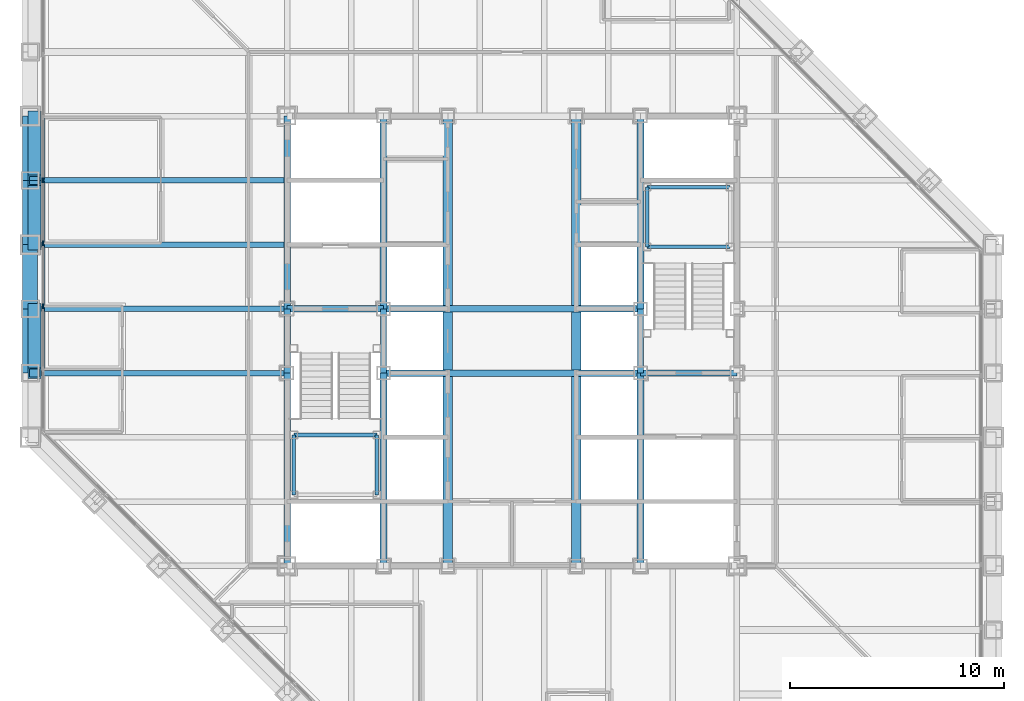
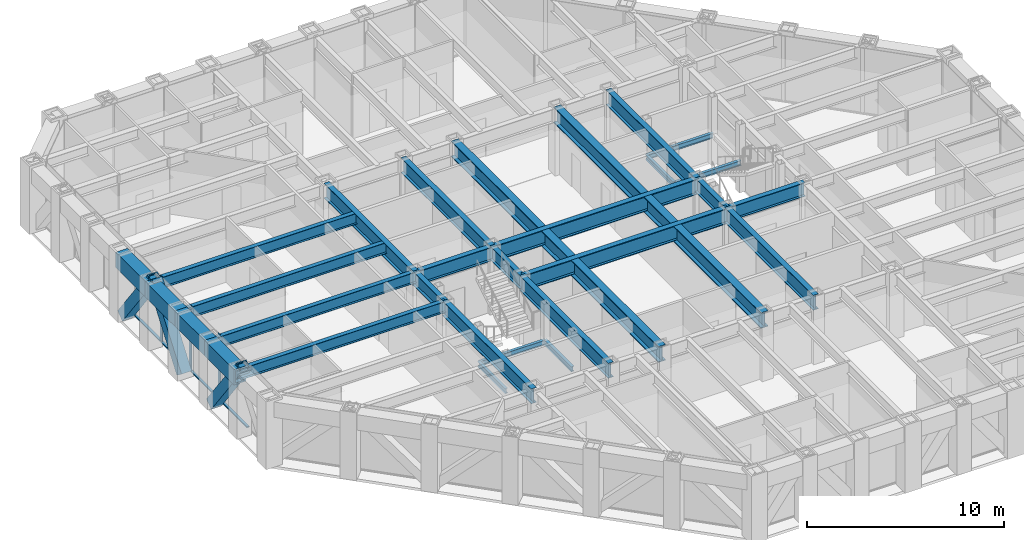
# One storey, part 5 of 17: 33 beams, 10 members, 1 element without a shape of its own.
"""IFC4 building model written with IfcOpenShell, lengths in metres."""

from ifc_helpers import new_model, si_unit, direction, frame, origin, origin_2d, place, context, subcontext, project, spatial, rectangle, hollow_rectangle, i_section, extrude, material, layer, layer_set, material_profile, profile_set, type_object, element, aggregate, save


model = new_model("IFC4")

# Units and contexts
model_context = context("Model", 3, precision=1e-05, world=origin(), true_north=direction((0.0, 1.0)))
body_context = subcontext(model_context, "Body", "Model", "MODEL_VIEW")
ifc_project = project(units=[si_unit("LENGTHUNIT", "METRE"), si_unit("AREAUNIT", "SQUARE_METRE"), si_unit("VOLUMEUNIT", "CUBIC_METRE"), si_unit("PLANEANGLEUNIT", "RADIAN"), si_unit("MASSUNIT", "GRAM", prefix="KILO")], contexts=[model_context])

# Site, building, storey
site_placement = place(None, origin())
site = spatial("IfcSite", under=ifc_project, at=site_placement, CompositionType="ELEMENT")
building_placement = place(site_placement, origin())
building = spatial("IfcBuilding", under=site, at=building_placement, Name="Chuquiago Exchange Tower", CompositionType="ELEMENT")
storey_placement = place(building_placement, frame((0.0, 0.0, 165.60009765625)))
storey = spatial("IfcBuildingStorey", under=building, at=storey_placement, Name="L36", CompositionType="ELEMENT", Elevation=165.60009765625)

# Beams
ifc_material_1 = material(Name="Steel ASTM A992", Category="steel")
ifc_material_profile_1 = material_profile(ifc_material_1, i_section(OverallWidth=0.25390625, OverallDepth=0.683349609375, WebThickness=0.012451171875, FlangeThickness=0.018798828125, at=origin_2d()), Name="W27X94")
ifc_profile_set_1 = profile_set([ifc_material_profile_1], Name="Steel ASTM A992")
beam_type_1 = type_object("IfcBeamType", Name="B1 W27X94", PredefinedType="BEAM", material=ifc_profile_set_1)
for number, where, z_axis, x_axis, name in (
    (1, (12.0, 21.0, 3.6982421875), (-1.0, 0.0, 0.0), (0.0, -1.0, 0.0), "FB-L37-infill-12_21--0_21-0"),
    (2, (12.0, 24.0, 3.6982421875), (-1.0, 0.0, 0.0), (0.0, -1.0, 0.0), "FB-L37-infill-12_24--0_24-0"),
    (3, (12.0, 27.0, 3.6982421875), (-1.0, 0.0, 0.0), (0.0, -1.0, 0.0), "FB-L37-infill-12_27--0_27-0"),
    (4, (12.0, 30.0, 3.6982421875), (-1.0, 0.0, 0.0), (0.0, -1.0, 0.0), "FB-L37-infill-12_30--0_30-0"),
):
    element("IfcBeam", number, at=place(storey_placement, frame(where, z_axis=z_axis, x_axis=x_axis)), inside=storey, type_object=beam_type_1, Name=name, PredefinedType="BEAM", context=body_context, shape_type="SweptSolid", body=[
        extrude(i_section(OverallWidth=0.25390625, OverallDepth=0.683349609375, WebThickness=0.012451171875, FlangeThickness=0.018798828125, at=origin_2d()), origin(), (0.0, 0.0, 1.0), 12.0),
    ])
ifc_material_2 = material(Name="Steel ASTM A992", Category="steel")
ifc_material_profile_2 = material_profile(ifc_material_2, i_section(OverallWidth=0.307373046875, OverallDepth=0.927001953125, WebThickness=0.01953125, FlangeThickness=0.031982421875, at=origin_2d()), Name="W36X194")
ifc_profile_set_2 = profile_set([ifc_material_profile_2], Name="Steel ASTM A992")
beam_type_2 = type_object("IfcBeamType", Name="B10 W36X194", PredefinedType="BEAM", material=ifc_profile_set_2)
for number, where, z_axis, x_axis, name in (
    (5, (12.0, 12.0, 3.576416015625), (0.0, 1.0, 0.0), (-1.0, 0.0, 0.0), "CB-L37-12_12-12_21"),
    (6, (12.0, 24.0, 3.576416015625), (0.0, 1.0, 0.0), (-1.0, 0.0, 0.0), "CB-L37-12_24-12_33"),
    (7, (16.5, 12.0, 3.576416015625), (0.0, 1.0, 0.0), (-1.0, 0.0, 0.0), "CB-L37-16.5_12-16.5_21"),
    (8, (16.5, 24.0, 3.576416015625), (0.0, 1.0, 0.0), (-1.0, 0.0, 0.0), "CB-L37-16.5_24-16.5_33"),
    (9, (28.5, 12.0, 3.576416015625), (0.0, 1.0, 0.0), (-1.0, 0.0, 0.0), "CB-L37-28.5_12-28.5_21"),
    (10, (28.5, 24.0, 3.576416015625), (0.0, 1.0, 0.0), (-1.0, 0.0, 0.0), "CB-L37-28.5_24-28.5_33"),
):
    element("IfcBeam", number, at=place(storey_placement, frame(where, z_axis=z_axis, x_axis=x_axis)), inside=storey, type_object=beam_type_2, Name=name, PredefinedType="BEAM", context=body_context, shape_type="SweptSolid", body=[
        extrude(i_section(OverallWidth=0.307373046875, OverallDepth=0.927001953125, WebThickness=0.01953125, FlangeThickness=0.031982421875, at=origin_2d()), origin(), (0.0, 0.0, 1.0), 9.0),
    ])
ifc_material_3 = material(Name="Steel ASTM A992", Category="steel")
ifc_material_profile_3 = material_profile(ifc_material_3, i_section(OverallWidth=0.309814453125, OverallDepth=0.949951171875, WebThickness=0.0244140625, FlangeThickness=0.0439453125, at=origin_2d()), Name="W36X256")
ifc_profile_set_3 = profile_set([ifc_material_profile_3], Name="Steel ASTM A992")
beam_type_3 = type_object("IfcBeamType", Name="B11 W36X256", PredefinedType="BEAM", material=ifc_profile_set_3)
for number, where, z_axis, x_axis, name in (
    (11, (16.5, 21.0, 3.56494140625), (1.0, 0.0, 0.0), (0.0, 1.0, 0.0), "CB-L37-16.5_21-28.5_21"),
    (12, (16.5, 24.0, 3.56494140625), (1.0, 0.0, 0.0), (0.0, 1.0, 0.0), "CB-L37-16.5_24-28.5_24"),
):
    element("IfcBeam", number, at=place(storey_placement, frame(where, z_axis=z_axis, x_axis=x_axis)), inside=storey, type_object=beam_type_3, Name=name, PredefinedType="BEAM", context=body_context, shape_type="SweptSolid", body=[
        extrude(i_section(OverallWidth=0.309814453125, OverallDepth=0.949951171875, WebThickness=0.0244140625, FlangeThickness=0.0439453125, at=origin_2d()), origin(), (0.0, 0.0, 1.0), 12.0),
    ])
ifc_material_4 = material(Name="Steel ASTM A992", Category="steel")
ifc_material_profile_4 = material_profile(ifc_material_4, i_section(OverallWidth=0.4267578125, OverallDepth=0.975341796875, WebThickness=0.031005859375, FlangeThickness=0.055908203125, at=origin_2d()), Name="W36X395")
ifc_profile_set_4 = profile_set([ifc_material_profile_4], Name="Steel ASTM A992")
beam_type_4 = type_object("IfcBeamType", Name="B12 W36X395", PredefinedType="BEAM", material=ifc_profile_set_4)
beam_1_placement = place(storey_placement, frame((19.5, 12.0, 3.55224609375), z_axis=(0.0, 1.0, 0.0), x_axis=(-1.0, 0.0, 0.0)))
element("IfcBeam", 13, at=beam_1_placement, inside=storey, type_object=beam_type_4, Name="CB-L37-19.5_12-19.5_20.8451", PredefinedType="BEAM", context=body_context, shape_type="SweptSolid", body=[
    extrude(i_section(OverallWidth=0.4267578125, OverallDepth=0.975341796875, WebThickness=0.031005859375, FlangeThickness=0.055908203125, at=origin_2d()), origin(), (0.0, 0.0, 1.0), 8.84521484375),
])
beam_2_placement = place(storey_placement, frame((19.5, 21.15478515625, 3.55224609375), z_axis=(0.0, 1.0, 0.0), x_axis=(-1.0, 0.0, 0.0)))
element("IfcBeam", 14, at=beam_2_placement, inside=storey, type_object=beam_type_4, Name="CB-L37-19.5_21.1549-19.5_23.8451", PredefinedType="BEAM", context=body_context, shape_type="SweptSolid", body=[
    extrude(i_section(OverallWidth=0.4267578125, OverallDepth=0.975341796875, WebThickness=0.031005859375, FlangeThickness=0.055908203125, at=origin_2d()), origin(), (0.0, 0.0, 1.0), 2.6904296875),
])
for number, where, z_axis, x_axis, name in (
    (15, (19.5, 24.15478515625, 3.55224609375), (0.0, 1.0, 0.0), (-1.0, 0.0, 0.0), "CB-L37-19.5_24.1549-19.5_33"),
    (16, (25.5, 12.0, 3.55224609375), (0.0, 1.0, 0.0), (-1.0, 0.0, 0.0), "CB-L37-25.5_12-25.5_20.8451"),
):
    element("IfcBeam", number, at=place(storey_placement, frame(where, z_axis=z_axis, x_axis=x_axis)), inside=storey, type_object=beam_type_4, Name=name, PredefinedType="BEAM", context=body_context, shape_type="SweptSolid", body=[
        extrude(i_section(OverallWidth=0.4267578125, OverallDepth=0.975341796875, WebThickness=0.031005859375, FlangeThickness=0.055908203125, at=origin_2d()), origin(), (0.0, 0.0, 1.0), 8.84521484375),
    ])
beam_3_placement = place(storey_placement, frame((25.5, 21.15478515625, 3.55224609375), z_axis=(0.0, 1.0, 0.0), x_axis=(-1.0, 0.0, 0.0)))
element("IfcBeam", 17, at=beam_3_placement, inside=storey, type_object=beam_type_4, Name="CB-L37-25.5_21.1549-25.5_23.8451", PredefinedType="BEAM", context=body_context, shape_type="SweptSolid", body=[
    extrude(i_section(OverallWidth=0.4267578125, OverallDepth=0.975341796875, WebThickness=0.031005859375, FlangeThickness=0.055908203125, at=origin_2d()), origin(), (0.0, 0.0, 1.0), 2.6904296875),
])
beam_4_placement = place(storey_placement, frame((25.5, 24.15478515625, 3.55224609375), z_axis=(0.0, 1.0, 0.0), x_axis=(-1.0, 0.0, 0.0)))
element("IfcBeam", 18, at=beam_4_placement, inside=storey, type_object=beam_type_4, Name="CB-L37-25.5_24.1549-25.5_33", PredefinedType="BEAM", context=body_context, shape_type="SweptSolid", body=[
    extrude(i_section(OverallWidth=0.4267578125, OverallDepth=0.975341796875, WebThickness=0.031005859375, FlangeThickness=0.055908203125, at=origin_2d()), origin(), (0.0, 0.0, 1.0), 8.84521484375),
])
ifc_material_5 = material(Name="Steel ASTM A992", Category="steel")
ifc_material_profile_5 = material_profile(ifc_material_5, i_section(OverallWidth=0.2919921875, OverallDepth=0.8583984375, WebThickness=0.01708984375, FlangeThickness=0.031005859375, at=origin_2d()), Name="W33X169")
ifc_profile_set_5 = profile_set([ifc_material_profile_5], Name="Steel ASTM A992")
beam_type_5 = type_object("IfcBeamType", Name="B3 W33X169", PredefinedType="BEAM", material=ifc_profile_set_5)
for number, where, z_axis, x_axis, name in (
    (19, (12.0, 21.0, 3.610595703125), (0.0, 1.0, 0.0), (-1.0, 0.0, 0.0), "CB-L37-12_21-12_24"),
    (20, (16.5, 21.0, 3.610595703125), (0.0, 1.0, 0.0), (-1.0, 0.0, 0.0), "CB-L37-16.5_21-16.5_24"),
    (21, (28.5, 21.0, 3.610595703125), (0.0, 1.0, 0.0), (-1.0, 0.0, 0.0), "CB-L37-28.5_21-28.5_24"),
):
    element("IfcBeam", number, at=place(storey_placement, frame(where, z_axis=z_axis, x_axis=x_axis)), inside=storey, type_object=beam_type_5, Name=name, PredefinedType="BEAM", context=body_context, shape_type="SweptSolid", body=[
        extrude(i_section(OverallWidth=0.2919921875, OverallDepth=0.8583984375, WebThickness=0.01708984375, FlangeThickness=0.031005859375, at=origin_2d()), origin(), (0.0, 0.0, 1.0), 3.0),
    ])
for number, where, z_axis, x_axis, name in (
    (22, (28.5, 21.0, 3.610595703125), (1.0, 0.0, 0.0), (0.0, 1.0, 0.0), "CB-L37-28.5_21-33_21"),
    (23, (12.0, 24.0, 3.610595703125), (1.0, 0.0, 0.0), (0.0, 1.0, 0.0), "CB-L37-12_24-16.5_24"),
):
    element("IfcBeam", number, at=place(storey_placement, frame(where, z_axis=z_axis, x_axis=x_axis)), inside=storey, type_object=beam_type_5, Name=name, PredefinedType="BEAM", context=body_context, shape_type="SweptSolid", body=[
        extrude(i_section(OverallWidth=0.2919921875, OverallDepth=0.8583984375, WebThickness=0.01708984375, FlangeThickness=0.031005859375, at=origin_2d()), origin(), (0.0, 0.0, 1.0), 4.5),
    ])

# Curtain wall, members
ifc_material_6 = material(Name="Aluminium curtain wall system", Category="aluminium")
ifc_layer = layer(ifc_material_6, 0.22509765625)
ifc_layer_set = layer_set([ifc_layer], Name="CW2 office curtain wall")
curtain_wall_type = type_object("IfcCurtainWallType", Name="CW2 office curtain wall", PredefinedType="NOTDEFINED", material=ifc_layer_set)
curtain_wall_placement = place(storey_placement, origin())
curtain_wall = element("IfcCurtainWall", 24, at=curtain_wall_placement, inside=storey, type_object=curtain_wall_type, Name="CW2 curtain wall L36", PredefinedType="NOTDEFINED")
ifc_material_7 = material(Name="Aluminium mullion, pale anodised", Category="aluminium")
ifc_material_profile_6 = material_profile(ifc_material_7, rectangle(XDim=0.06494140625, YDim=0.22509765625, at=origin_2d()), Name="AL 65x225")
ifc_profile_set_6 = profile_set([ifc_material_profile_6], Name="Aluminium mullion, pale anodised")
member_type_1 = type_object("IfcMemberType", Name="CW2-M mullion 65x225", PredefinedType="MULLION", material=ifc_profile_set_6)
member_1_placement = place(storey_placement, frame((0.60009765625, 30.0, 0.0), z_axis=(0.0, 0.0, 1.0), x_axis=(1.0, 0.0, 0.0)))
member_1 = element("IfcMember", 25, at=member_1_placement, type_object=member_type_1, Name="CW2 mullion 5", PredefinedType="MULLION", context=body_context, shape_type="SweptSolid", body=[
    extrude(rectangle(XDim=0.06494140625, YDim=0.22509765625, at=origin_2d()), origin(), (0.0, 0.0, 1.0), 4.039794921875),
])
member_2_placement = place(storey_placement, frame((0.60009765625, 27.06201171875, 0.0), z_axis=(0.0, 0.0, 1.0), x_axis=(1.0, 0.0, 0.0)))
member_2 = element("IfcMember", 26, at=member_2_placement, type_object=member_type_1, Name="CW2 mullion 6", PredefinedType="MULLION", context=body_context, shape_type="SweptSolid", body=[
    extrude(rectangle(XDim=0.06494140625, YDim=0.22509765625, at=origin_2d()), origin(), (0.0, 0.0, 1.0), 4.039794921875),
])
member_3_placement = place(storey_placement, frame((0.60009765625, 24.124267578125, 0.0), z_axis=(0.0, 0.0, 1.0), x_axis=(1.0, 0.0, 0.0)))
member_3 = element("IfcMember", 27, at=member_3_placement, type_object=member_type_1, Name="CW2 mullion 7", PredefinedType="MULLION", context=body_context, shape_type="SweptSolid", body=[
    extrude(rectangle(XDim=0.06494140625, YDim=0.22509765625, at=origin_2d()), origin(), (0.0, 0.0, 1.0), 4.039794921875),
])
ifc_material_8 = material(Name="Aluminium transom, pale anodised", Category="aluminium")
ifc_material_profile_7 = material_profile(ifc_material_8, rectangle(XDim=0.139892578125, YDim=0.06494140625, at=origin_2d()), Name="AL 140x65")
ifc_profile_set_7 = profile_set([ifc_material_profile_7], Name="Aluminium transom, pale anodised")
member_type_2 = type_object("IfcMemberType", Name="CW2-T transom 65x140", PredefinedType="MULLION", material=ifc_profile_set_7)
member_4_placement = place(storey_placement, frame((0.60009765625, 32.9052734375, 0.032470703125), z_axis=(0.0, -1.0, 0.0), x_axis=(1.0, 0.0, 0.0)))
member_4 = element("IfcMember", 28, at=member_4_placement, type_object=member_type_2, Name="CW2 transom 4.1", PredefinedType="MULLION", context=body_context, shape_type="SweptSolid", body=[
    extrude(rectangle(XDim=0.139892578125, YDim=0.06494140625, at=origin_2d()), origin(), (0.0, 0.0, 1.0), 2.872802734375),
])
member_5_placement = place(storey_placement, frame((0.60009765625, 29.967529296875, 0.032470703125), z_axis=(0.0, -1.0, 0.0), x_axis=(1.0, 0.0, 0.0)))
member_5 = element("IfcMember", 29, at=member_5_placement, type_object=member_type_2, Name="CW2 transom 5.1", PredefinedType="MULLION", context=body_context, shape_type="SweptSolid", body=[
    extrude(rectangle(XDim=0.139892578125, YDim=0.06494140625, at=origin_2d()), origin(), (0.0, 0.0, 1.0), 2.872802734375),
])
member_6_placement = place(storey_placement, frame((0.60009765625, 27.029541015625, 0.032470703125), z_axis=(0.0, -1.0, 0.0), x_axis=(1.0, 0.0, 0.0)))
member_6 = element("IfcMember", 30, at=member_6_placement, type_object=member_type_2, Name="CW2 transom 6.1", PredefinedType="MULLION", context=body_context, shape_type="SweptSolid", body=[
    extrude(rectangle(XDim=0.139892578125, YDim=0.06494140625, at=origin_2d()), origin(), (0.0, 0.0, 1.0), 2.872802734375),
])
member_7_placement = place(storey_placement, frame((0.60009765625, 24.091796875, 0.032470703125), z_axis=(0.0, -1.0, 0.0), x_axis=(1.0, 0.0, 0.0)))
member_7 = element("IfcMember", 31, at=member_7_placement, type_object=member_type_2, Name="CW2 transom 7.1", PredefinedType="MULLION", context=body_context, shape_type="SweptSolid", body=[
    extrude(rectangle(XDim=0.139892578125, YDim=0.06494140625, at=origin_2d()), origin(), (0.0, 0.0, 1.0), 2.872802734375),
])
aggregate(curtain_wall, [member_1, member_2, member_3, member_4, member_5, member_6, member_7])

# Beams
ifc_material_9 = material(Name="Steel ASTM A992", Category="steel")
ifc_material_profile_8 = material_profile(ifc_material_9, i_section(OverallWidth=0.164794921875, OverallDepth=0.309814453125, WebThickness=0.005859375, FlangeThickness=0.009765625, at=origin_2d()), Name="W12X26")
ifc_profile_set_8 = profile_set([ifc_material_profile_8], Name="Steel ASTM A992")
beam_type_6 = type_object("IfcBeamType", Name="LS1 W12X26", PredefinedType="BEAM", material=ifc_profile_set_8)
for number, where, z_axis, x_axis, name in (
    (32, (12.31005859375, 15.31005859375, 1.7451171875), (0.0, 1.0, 0.0), (-1.0, 0.0, 0.0), "Stair ST1 L36 landing 1 stringer"),
    (33, (16.18994140625, 15.31005859375, 1.7451171875), (0.0, 1.0, 0.0), (-1.0, 0.0, 0.0), "Stair ST1 L36 landing 1 stringer"),
    (34, (28.81005859375, 26.889892578125, 1.7451171875), (0.0, 1.0, 0.0), (-1.0, 0.0, 0.0), "Stair ST2 L36 landing 1 stringer"),
):
    element("IfcBeam", number, at=place(storey_placement, frame(where, z_axis=z_axis, x_axis=x_axis)), inside=storey, type_object=beam_type_6, Name=name, PredefinedType="BEAM", context=body_context, shape_type="SweptSolid", body=[
        extrude(i_section(OverallWidth=0.164794921875, OverallDepth=0.309814453125, WebThickness=0.005859375, FlangeThickness=0.009765625, at=origin_2d()), origin(), (0.0, 0.0, 1.0), 2.800048828125),
    ])
ifc_material_10 = material(Name="Steel ASTM A992", Category="steel")
ifc_material_profile_9 = material_profile(ifc_material_10, i_section(OverallWidth=0.164794921875, OverallDepth=0.309814453125, WebThickness=0.005859375, FlangeThickness=0.009765625, at=origin_2d()), Name="W12X26")
ifc_profile_set_9 = profile_set([ifc_material_profile_9], Name="Steel ASTM A992")
beam_type_7 = type_object("IfcBeamType", Name="LT1 W12X26", PredefinedType="BEAM", material=ifc_profile_set_9)
for number, where, z_axis, x_axis, name in (
    (35, (12.31005859375, 18.110107421875, 1.7451171875), (1.0, 0.0, 0.0), (0.0, 1.0, 0.0), "Stair ST1 L36 landing 1 trimmer"),
    (36, (28.81005859375, 29.68994140625, 1.7451171875), (1.0, 0.0, 0.0), (0.0, 1.0, 0.0), "Stair ST2 L36 landing 1 trimmer"),
    (37, (28.81005859375, 26.889892578125, 1.7451171875), (1.0, 0.0, 0.0), (0.0, 1.0, 0.0), "Stair ST2 L36 landing 1 trimmer"),
):
    element("IfcBeam", number, at=place(storey_placement, frame(where, z_axis=z_axis, x_axis=x_axis)), inside=storey, type_object=beam_type_7, Name=name, PredefinedType="BEAM", context=body_context, shape_type="SweptSolid", body=[
        extrude(i_section(OverallWidth=0.164794921875, OverallDepth=0.309814453125, WebThickness=0.005859375, FlangeThickness=0.009765625, at=origin_2d()), origin(), (0.0, 0.0, 1.0), 3.8798828125),
    ])

# Members
ifc_material_11 = material(Name="Steel ASTM A572 Grade 50", Category="steel")
ifc_material_profile_10 = material_profile(ifc_material_11, hollow_rectangle(XDim=0.60009765625, YDim=0.60009765625, WallThickness=0.06005859375, at=origin_2d()), Name="BOX600X600X60")
ifc_profile_set_10 = profile_set([ifc_material_profile_10], Name="Steel ASTM A572 Grade 50")
member_type_3 = type_object("IfcMemberType", Name="MB2 BOX600X600X60", PredefinedType="BRACE", material=ifc_profile_set_10)
for number, where, z_axis, x_axis, name in (
    (38, (0.205078125, 33.0, 0.0), (0.0, -0.596197146086, 0.802838067732), (1.0, 0.0, 0.0), "Mega diagonal L36 W face"),
    (39, (0.205078125, 27.0, 0.0), (0.0, 0.596197146086, 0.802838067732), (-1.0, 0.0, 0.0), "Mega diagonal L36 W face"),
    (40, (0.205078125, 24.0, 0.0), (0.0, -0.596197146086, 0.802838067732), (1.0, 0.0, 0.0), "Mega diagonal L36 W face"),
):
    element("IfcMember", number, at=place(storey_placement, frame(where, z_axis=z_axis, x_axis=x_axis)), inside=storey, type_object=member_type_3, Name=name, PredefinedType="BRACE", context=body_context, shape_type="SweptSolid", body=[
        extrude(hollow_rectangle(XDim=0.60009765625, YDim=0.60009765625, WallThickness=0.06005859375, at=origin_2d()), origin(), (0.0, 0.0, 1.0), 5.031982421875),
    ])

# Beams
ifc_material_12 = material(Name="Steel ASTM A572 Grade 50", Category="steel")
ifc_material_profile_11 = material_profile(ifc_material_12, hollow_rectangle(XDim=0.699951171875, YDim=0.949951171875, WallThickness=0.10009765625, at=origin_2d()), Name="BOX950X700X100")
ifc_profile_set_11 = profile_set([ifc_material_profile_11], Name="Steel ASTM A572 Grade 50")
beam_type_8 = type_object("IfcBeamType", Name="SP5 BOX950X700X100", PredefinedType="SPANDREL", material=ifc_profile_set_11)
for number, where, z_axis, x_axis, name in (
    (41, (0.0, 33.0, 3.56494140625), (0.0, -1.0, 0.0), (1.0, 0.0, 0.0), "SPB-L37-0_33-0_30"),
    (42, (0.0, 30.0, 3.56494140625), (0.0, -1.0, 0.0), (1.0, 0.0, 0.0), "SPB-L37-0_30-0_27"),
    (43, (0.0, 27.0, 3.56494140625), (0.0, -1.0, 0.0), (1.0, 0.0, 0.0), "SPB-L37-0_27-0_24"),
    (44, (0.0, 24.0, 3.56494140625), (0.0, -1.0, 0.0), (1.0, 0.0, 0.0), "SPB-L37-0_24-0_21"),
):
    element("IfcBeam", number, at=place(storey_placement, frame(where, z_axis=z_axis, x_axis=x_axis)), inside=storey, type_object=beam_type_8, Name=name, PredefinedType="SPANDREL", context=body_context, shape_type="SweptSolid", body=[
        extrude(hollow_rectangle(XDim=0.699951171875, YDim=0.949951171875, WallThickness=0.10009765625, at=origin_2d()), origin(), (0.0, 0.0, 1.0), 3.0),
    ])

save(model, "model.ifc")
